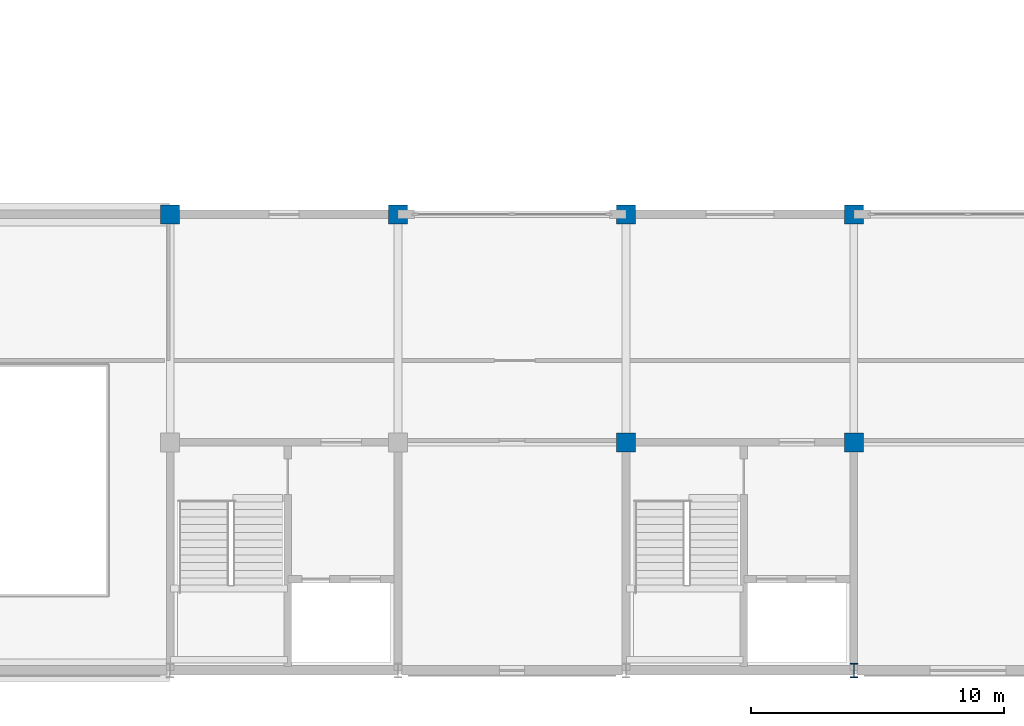
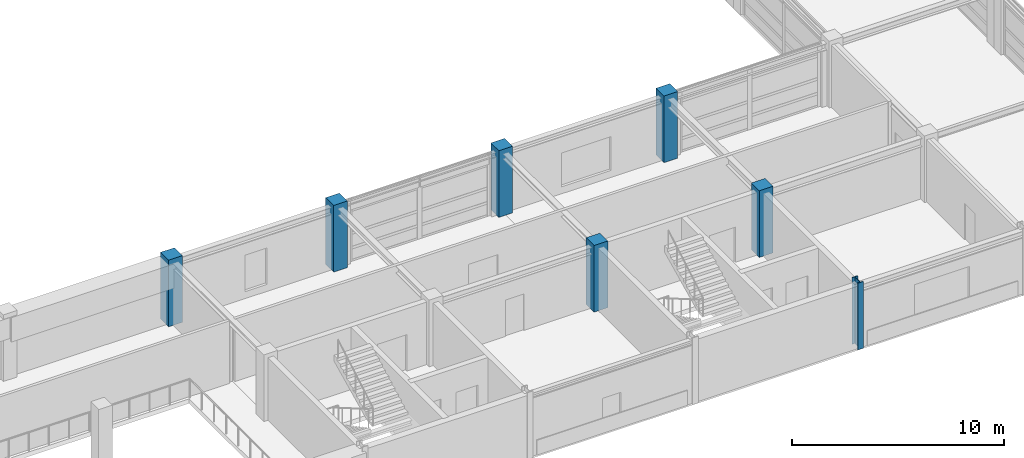
# One storey, part 2 of 79: 7 columns.
"""IFC4 building model written with IfcOpenShell, lengths in metres."""

from ifc_helpers import new_model, si_unit, direction, frame, origin, origin_2d, place, context, subcontext, project, spatial, rectangle, i_section, extrude, material, material_profile, profile_set, type_object, element, save


model = new_model("IFC4")

# Units and contexts
model_context = context("Model", 3, precision=1e-05, world=origin(), true_north=direction((0.0, 1.0)))
body_context = subcontext(model_context, "Body", "Model", "MODEL_VIEW")
ifc_project = project(units=[si_unit("LENGTHUNIT", "METRE"), si_unit("AREAUNIT", "SQUARE_METRE"), si_unit("VOLUMEUNIT", "CUBIC_METRE"), si_unit("PLANEANGLEUNIT", "RADIAN"), si_unit("MASSUNIT", "GRAM", prefix="KILO")], contexts=[model_context])

# Site, building, storey
site_placement = place(None, origin())
site = spatial("IfcSite", under=ifc_project, at=site_placement, CompositionType="ELEMENT")
building_placement = place(site_placement, origin())
building = spatial("IfcBuilding", under=site, at=building_placement, Name="Palais des Congres Ocreval", CompositionType="ELEMENT")
storey_placement = place(building_placement, frame((0.0, 0.0, 4.320068359375)))
storey = spatial("IfcBuildingStorey", under=building, at=storey_placement, Name="L01", CompositionType="ELEMENT", Elevation=4.320068359375)

# Columns
ifc_material_1 = material(Name="Steel S460", Category="steel")
ifc_material_profile_1 = material_profile(ifc_material_1, i_section(OverallWidth=0.305908203125, OverallDepth=0.572021484375, WebThickness=0.02099609375, FlangeThickness=0.0400390625, at=origin_2d()), Name="HEM 550")
ifc_profile_set_1 = profile_set([ifc_material_profile_1], Name="Steel S460")
column_type_1 = type_object("IfcColumnType", Name="Column HEM 550 Steel S460", PredefinedType="COLUMN", material=ifc_profile_set_1)
column_placement = place(storey_placement, frame((63.0, 0.0, 0.0), z_axis=(0.0, 0.0, 1.0), x_axis=(1.0, 0.0, 0.0)))
element("IfcColumn", 1, at=column_placement, inside=storey, type_object=column_type_1, Name="Column C05 L01", PredefinedType="COLUMN", context=body_context, shape_type="SweptSolid", body=[
    extrude(i_section(OverallWidth=0.305908203125, OverallDepth=0.572021484375, WebThickness=0.02099609375, FlangeThickness=0.0400390625, at=origin_2d()), origin(), (0.0, 0.0, 1.0), 3.83984375),
])
ifc_material_2 = material(Name="Concrete C40/50", Category="concrete")
ifc_material_profile_2 = material_profile(ifc_material_2, rectangle(XDim=0.75, YDim=0.75, at=origin_2d()), Name="RC 750x750")
ifc_profile_set_2 = profile_set([ifc_material_profile_2], Name="Concrete C40/50")
column_type_2 = type_object("IfcColumnType", Name="Column RC 750x750 Concrete C40/50", PredefinedType="COLUMN", material=ifc_profile_set_2)
for number, where, z_axis, x_axis, name in (
    (2, (36.0, 18.0, 0.0), (0.0, 0.0, 1.0), (1.0, 0.0, 0.0), "Column C22 L01"),
    (3, (45.0, 18.0, 0.0), (0.0, 0.0, 1.0), (1.0, 0.0, 0.0), "Column C22 L01"),
    (4, (54.0, 9.0, 0.0), (0.0, 0.0, 1.0), (1.0, 0.0, 0.0), "Column C22 L01"),
    (5, (54.0, 18.0, 0.0), (0.0, 0.0, 1.0), (1.0, 0.0, 0.0), "Column C22 L01"),
    (6, (63.0, 9.0, 0.0), (0.0, 0.0, 1.0), (1.0, 0.0, 0.0), "Column C22 L01"),
    (7, (63.0, 18.0, 0.0), (0.0, 0.0, 1.0), (1.0, 0.0, 0.0), "Column C22 L01"),
):
    element("IfcColumn", number, at=place(storey_placement, frame(where, z_axis=z_axis, x_axis=x_axis)), inside=storey, type_object=column_type_2, Name=name, PredefinedType="COLUMN", context=body_context, shape_type="SweptSolid", body=[
        extrude(rectangle(XDim=0.75, YDim=0.75, at=origin_2d()), origin(), (0.0, 0.0, 1.0), 3.83984375),
    ])

save(model, "model.ifc")
